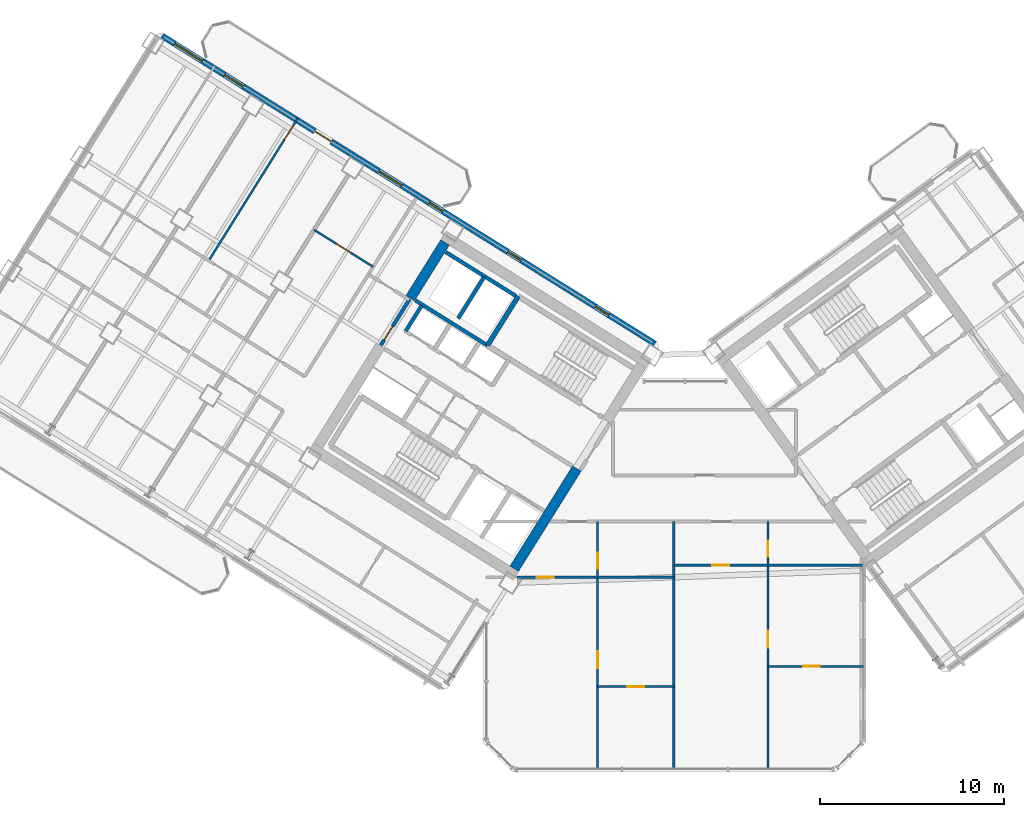
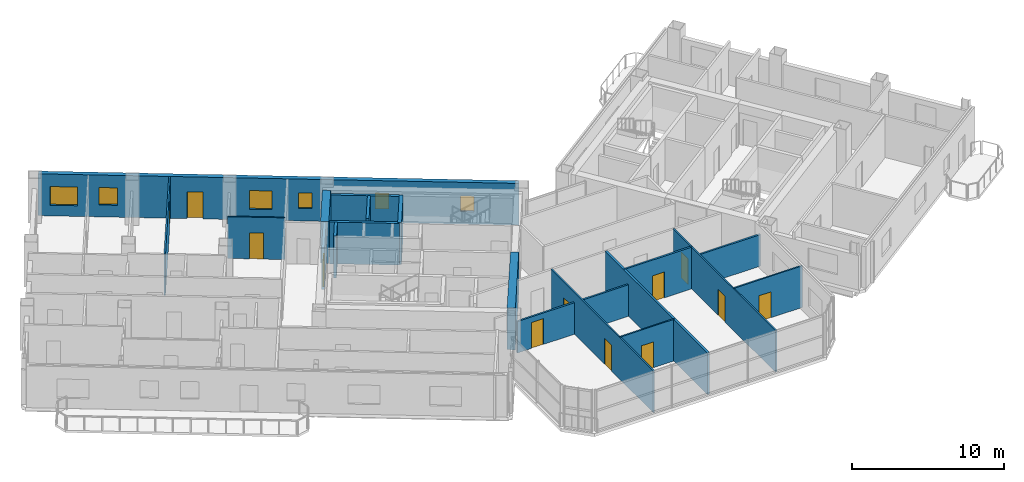
# One storey, part 18 of 29: 20 walls, 12 doors, 6 windows, 18 openings.
"""IFC4 building model written with IfcOpenShell, lengths in metres."""

from ifc_helpers import new_model, si_unit, direction, frame, frame_2d, origin, place, context, subcontext, project, spatial, rectangle, extrude, source, transform, mapped, material, layer, layer_set, type_object, element, fill, save


model = new_model("IFC4")

# Units and contexts
model_context = context("Model", 3, precision=1e-05, world=origin(), true_north=direction((0.0, 1.0)))
body_context = subcontext(model_context, "Body", "Model", "MODEL_VIEW")
ifc_project = project(units=[si_unit("LENGTHUNIT", "METRE"), si_unit("AREAUNIT", "SQUARE_METRE"), si_unit("VOLUMEUNIT", "CUBIC_METRE"), si_unit("PLANEANGLEUNIT", "RADIAN"), si_unit("MASSUNIT", "GRAM", prefix="KILO")], contexts=[model_context])

# Site, building, storey
site_placement = place(None, origin())
site = spatial("IfcSite", under=ifc_project, at=site_placement, CompositionType="ELEMENT")
building_placement = place(site_placement, origin())
building = spatial("IfcBuilding", under=site, at=building_placement, Name="Tlacorven Tower", CompositionType="ELEMENT")
storey_placement = place(building_placement, frame((0.0, 0.0, 158.699951171875)))
storey = spatial("IfcBuildingStorey", under=building, at=storey_placement, Name="L40", CompositionType="ELEMENT", Elevation=158.699951171875)

# Walls
ifc_material_1 = material(Name="Concrete C60/75", Category="concrete")
ifc_layer_1 = layer(ifc_material_1, 0.550048828125)
ifc_layer_set_1 = layer_set([ifc_layer_1], Name="Concrete C60/75")
wall_type_1 = type_object("IfcWallType", Name="WL-COR-550", PredefinedType="SHEAR", material=ifc_layer_set_1)
wall_1_placement = place(storey_placement, frame((36.683349609375, 18.30419921875, 0.0), z_axis=(0.0, 0.0, 1.0), x_axis=(-0.529896466841, -0.848062341122, 0.0)))
element("IfcWall", 1, at=wall_1_placement, inside=storey, type_object=wall_type_1, Name="L40 W core end wall E1.2", PredefinedType="SHEAR", context=body_context, shape_type="SweptSolid", body=[
    extrude(rectangle(XDim=6.4248046875, YDim=0.550048828125, at=frame_2d((3.21240234375, 0.0))), origin(), (0.0, 0.0, 1.0), 3.35009765625),
])
wall_2_placement = place(storey_placement, frame((29.517333984375, 30.59423828125, 0.0), z_axis=(0.0, 0.0, 1.0), x_axis=(-0.529906864564, -0.848055844204, 0.0)))
element("IfcWall", 2, at=wall_2_placement, inside=storey, type_object=wall_type_1, Name="L40 W core end wall E2.1", PredefinedType="SHEAR", context=body_context, shape_type="SweptSolid", body=[
    extrude(rectangle(XDim=3.5751953125, YDim=0.550048828125, at=frame_2d((1.78759765625, 0.0))), origin(), (0.0, 0.0, 1.0), 3.35009765625),
])
ifc_material_2 = material(Name="Gypsum plasterboard acoustic partition", Category="gypsum")
ifc_layer_2 = layer(ifc_material_2, 0.159912109375)
ifc_layer_set_2 = layer_set([ifc_layer_2], Name="Gypsum plasterboard acoustic partition")
wall_type_2 = type_object("IfcWallType", Name="WL-DEM-160", PredefinedType="PARTITIONING", material=ifc_layer_set_2)
wall_3_placement = place(storey_placement, frame((41.949951171875, 1.9599609375, 0.0), z_axis=(0.0, 0.0, 1.0), x_axis=(0.0, 1.0, 0.0)))
element("IfcWall", 3, at=wall_3_placement, inside=storey, type_object=wall_type_2, Name="L40 Knuckle Demising Wall 1", PredefinedType="PARTITIONING", context=body_context, shape_type="SweptSolid", body=[
    extrude(rectangle(XDim=13.4599609375, YDim=0.159912109375, at=frame_2d((6.72998046875, 0.0))), origin(), (0.0, 0.0, 1.0), 3.340087890625),
])

# Wall, openings, door, windows
ifc_material_3 = material(Name="Precast concrete C45/55", Category="concrete")
ifc_layer_3 = layer(ifc_material_3, 0.320068359375)
ifc_layer_set_3 = layer_set([ifc_layer_3], Name="Precast concrete C45/55")
wall_type_3 = type_object("IfcWallType", Name="WL-EXT-320", PredefinedType="STANDARD", material=ifc_layer_set_3)
wall_4_placement = place(storey_placement, frame((14.13818359375, 41.825439453125, 0.0), z_axis=(0.0, 0.0, 1.0), x_axis=(0.848046498049, -0.529921821731, 0.0)))
wall_4 = element("IfcWall", 4, at=wall_4_placement, inside=storey, type_object=wall_type_3, Name="L40 Masonry-Frame Recessed Facade Wall 3", PredefinedType="STANDARD", context=body_context, shape_type="SweptSolid", body=[
    extrude(rectangle(XDim=31.587646484375, YDim=0.320068359375, at=frame_2d((15.7939453125, 0.0))), origin(), (0.0, 0.0, 1.0), 3.35009765625),
])
opening_1_placement = place(wall_4_placement, frame((9.7919921875, 0.0, 0.0)))
opening_1 = element("IfcOpeningElement", 5, at=opening_1_placement, cuts=wall_4, Name="Opening D06", PredefinedType="OPENING", context=body_context, shape_type="SweptSolid", body=[
    extrude(rectangle(XDim=1.050048828125, YDim=2.14990234375, at=frame_2d((0.52490234375, 1.074951171875))), frame((0.0, 0.169921875, 0.0), z_axis=(0.0, -1.0, 0.0), x_axis=(1.0, 0.0, 0.0)), (0.0, 0.0, 1.0), 0.340087890625),
])
opening_2_placement = place(wall_4_placement, frame((0.791259765625, 0.0, 0.85009765625)))
opening_2 = element("IfcOpeningElement", 6, at=opening_2_placement, cuts=wall_4, Name="Opening WN01", PredefinedType="OPENING", context=body_context, shape_type="SweptSolid", body=[
    extrude(rectangle(XDim=1.800048828125, YDim=1.5, at=frame_2d((0.89990234375, 0.75))), frame((0.0, 0.169921875, 0.0), z_axis=(0.0, -1.0, 0.0), x_axis=(1.0, 0.0, 0.0)), (0.0, 0.0, 1.0), 0.340087890625),
])
opening_3_placement = place(wall_4_placement, frame((3.99609375, 0.0, 0.949951171875)))
opening_3 = element("IfcOpeningElement", 7, at=opening_3_placement, cuts=wall_4, Name="Opening WN03", PredefinedType="OPENING", context=body_context, shape_type="SweptSolid", body=[
    extrude(rectangle(XDim=1.199951171875, YDim=1.39990234375, at=frame_2d((0.60009765625, 0.699951171875))), frame((0.0, 0.169921875, 0.0), z_axis=(0.0, -1.0, 0.0), x_axis=(1.0, 0.0, 0.0)), (0.0, 0.0, 1.0), 0.340087890625),
])
opening_4_placement = place(wall_4_placement, frame((13.873779296875, 0.0, 0.85009765625)))
opening_4 = element("IfcOpeningElement", 8, at=opening_4_placement, cuts=wall_4, Name="Opening WN02", PredefinedType="OPENING", context=body_context, shape_type="SweptSolid", body=[
    extrude(rectangle(XDim=1.5, YDim=1.5, at=frame_2d((0.75, 0.75))), frame((0.0, 0.169921875, 0.0), z_axis=(0.0, -1.0, 0.0), x_axis=(1.0, 0.0, 0.0)), (0.0, 0.0, 1.0), 0.340087890625),
])
opening_5_placement = place(wall_4_placement, frame((17.103759765625, 0.0, 1.0)))
opening_5 = element("IfcOpeningElement", 9, at=opening_5_placement, cuts=wall_4, Name="Opening WN05", PredefinedType="OPENING", context=body_context, shape_type="SweptSolid", body=[
    extrude(rectangle(XDim=0.89990234375, YDim=1.25, at=frame_2d((0.449951171875, 0.625))), frame((0.0, 0.169921875, 0.0), z_axis=(0.0, -1.0, 0.0), x_axis=(1.0, 0.0, 0.0)), (0.0, 0.0, 1.0), 0.340087890625),
])
opening_6_placement = place(wall_4_placement, frame((22.143798828125, 0.0, 1.0)))
opening_6 = element("IfcOpeningElement", 10, at=opening_6_placement, cuts=wall_4, Name="Opening WN05", PredefinedType="OPENING", context=body_context, shape_type="SweptSolid", body=[
    extrude(rectangle(XDim=0.89990234375, YDim=1.25, at=frame_2d((0.449951171875, 0.625))), frame((0.0, 0.169921875, 0.0), z_axis=(0.0, -1.0, 0.0), x_axis=(1.0, 0.0, 0.0)), (0.0, 0.0, 1.0), 0.340087890625),
])
opening_7_placement = place(wall_4_placement, frame((27.74365234375, 0.0, 1.0)))
opening_7 = element("IfcOpeningElement", 11, at=opening_7_placement, cuts=wall_4, Name="Opening WN05", PredefinedType="OPENING", context=body_context, shape_type="SweptSolid", body=[
    extrude(rectangle(XDim=0.89990234375, YDim=1.25, at=frame_2d((0.449951171875, 0.625))), frame((0.0, 0.169921875, 0.0), z_axis=(0.0, -1.0, 0.0), x_axis=(1.0, 0.0, 0.0)), (0.0, 0.0, 1.0), 0.340087890625),
])
ifc_material_4 = material(Name="Powder-coated aluminium and timber door", Category="wood")
door_type_1 = type_object("IfcDoorType", Name="DR-EXT-BALC-1050", OperationType="NOTDEFINED", PredefinedType="DOOR", material=ifc_material_4)
shared_shape_1 = source(origin(), body_context, "Body", "SweptSolid", [
    extrude(rectangle(XDim=1.050048828125, YDim=2.14990234375, at=frame_2d((0.52490234375, 1.074951171875))), frame((0.0, 0.02490234375, 0.0), z_axis=(0.0, -1.0, 0.0), x_axis=(1.0, 0.0, 0.0)), (0.0, 0.0, 1.0), 0.050048828125),
])
door_1_placement = place(opening_1_placement, origin())
door_1 = element("IfcDoor", 12, at=door_1_placement, inside=storey, type_object=door_type_1, Name="L40 Outdoor Access Door BAL-L40-W-IN", OperationType="SINGLE_SWING_RIGHT", OverallHeight=2.14990234375, OverallWidth=1.050048828125, PredefinedType="DOOR", context=body_context, shape_type="MappedRepresentation", body=[
    mapped(shared_shape_1, transform((0.0, 0.0, 0.0), scale=1.0)),
])
fill(opening_1, door_1)
ifc_material_5 = material(Name="Dark solar low-E double glazing in anodised aluminium frame", Category="aluminium")
window_type_1 = type_object("IfcWindowType", Name="WN-APT-1200X1500", PartitioningType="SINGLE_PANEL", PredefinedType="WINDOW", material=ifc_material_5)
shared_shape_2 = source(origin(), body_context, "Body", "SweptSolid", [
    extrude(rectangle(XDim=1.199951171875, YDim=1.39990234375, at=frame_2d((0.60009765625, 0.699951171875))), frame((0.0, 0.030029296875, 0.0), z_axis=(0.0, -1.0, 0.0), x_axis=(1.0, 0.0, 0.0)), (0.0, 0.0, 1.0), 0.06005859375),
])
window_1_placement = place(opening_3_placement, origin())
window_1 = element("IfcWindow", 13, at=window_1_placement, inside=storey, type_object=window_type_1, Name="L40 Recessed Masonry-Frame Window L40-03.2", OverallHeight=1.39990234375, OverallWidth=1.199951171875, PartitioningType="SINGLE_PANEL", PredefinedType="WINDOW", context=body_context, shape_type="MappedRepresentation", body=[
    mapped(shared_shape_2, transform((0.0, 0.0, 0.0), scale=1.0)),
])
fill(opening_3, window_1)
window_type_2 = type_object("IfcWindowType", Name="WN-APT-1800X1650", PartitioningType="SINGLE_PANEL", PredefinedType="WINDOW", material=ifc_material_5)
shared_shape_3 = source(origin(), body_context, "Body", "SweptSolid", [
    extrude(rectangle(XDim=1.800048828125, YDim=1.5, at=frame_2d((0.89990234375, 0.75))), frame((0.0, 0.030029296875, 0.0), z_axis=(0.0, -1.0, 0.0), x_axis=(1.0, 0.0, 0.0)), (0.0, 0.0, 1.0), 0.06005859375),
])
window_2_placement = place(opening_2_placement, origin())
window_2 = element("IfcWindow", 14, at=window_2_placement, inside=storey, type_object=window_type_2, Name="L40 Recessed Masonry-Frame Window L40-03.1", OverallHeight=1.5, OverallWidth=1.800048828125, PartitioningType="SINGLE_PANEL", PredefinedType="WINDOW", context=body_context, shape_type="MappedRepresentation", body=[
    mapped(shared_shape_3, transform((0.0, 0.0, 0.0), scale=1.0)),
])
fill(opening_2, window_2)
window_type_3 = type_object("IfcWindowType", Name="WN-APT-1500X1650", PartitioningType="SINGLE_PANEL", PredefinedType="WINDOW", material=ifc_material_5)
shared_shape_4 = source(origin(), body_context, "Body", "SweptSolid", [
    extrude(rectangle(XDim=1.5, YDim=1.5, at=frame_2d((0.75, 0.75))), frame((0.0, 0.030029296875, 0.0), z_axis=(0.0, -1.0, 0.0), x_axis=(1.0, 0.0, 0.0)), (0.0, 0.0, 1.0), 0.06005859375),
])
window_3_placement = place(opening_4_placement, origin())
window_3 = element("IfcWindow", 15, at=window_3_placement, inside=storey, type_object=window_type_3, Name="L40 Recessed Masonry-Frame Window L40-03.3", OverallHeight=1.5, OverallWidth=1.5, PartitioningType="SINGLE_PANEL", PredefinedType="WINDOW", context=body_context, shape_type="MappedRepresentation", body=[
    mapped(shared_shape_4, transform((0.0, 0.0, 0.0), scale=1.0)),
])
fill(opening_4, window_3)
window_type_4 = type_object("IfcWindowType", Name="WN-APT-0900X1350", PartitioningType="SINGLE_PANEL", PredefinedType="WINDOW", material=ifc_material_5)
shared_shape_5 = source(origin(), body_context, "Body", "SweptSolid", [
    extrude(rectangle(XDim=0.89990234375, YDim=1.25, at=frame_2d((0.449951171875, 0.625))), frame((0.0, 0.030029296875, 0.0), z_axis=(0.0, -1.0, 0.0), x_axis=(1.0, 0.0, 0.0)), (0.0, 0.0, 1.0), 0.06005859375),
])
window_4_placement = place(opening_5_placement, origin())
window_4 = element("IfcWindow", 16, at=window_4_placement, inside=storey, type_object=window_type_4, Name="L40 Recessed Masonry-Frame Window L40-03.4", OverallHeight=1.25, OverallWidth=0.89990234375, PartitioningType="SINGLE_PANEL", PredefinedType="WINDOW", context=body_context, shape_type="MappedRepresentation", body=[
    mapped(shared_shape_5, transform((0.0, 0.0, 0.0), scale=1.0)),
])
fill(opening_5, window_4)
window_5_placement = place(opening_6_placement, origin())
window_5 = element("IfcWindow", 17, at=window_5_placement, inside=storey, type_object=window_type_4, Name="L40 Recessed Masonry-Frame Window L40-03.5", OverallHeight=1.25, OverallWidth=0.89990234375, PartitioningType="SINGLE_PANEL", PredefinedType="WINDOW", context=body_context, shape_type="MappedRepresentation", body=[
    mapped(shared_shape_5, transform((0.0, 0.0, 0.0), scale=1.0)),
])
fill(opening_6, window_5)
window_6_placement = place(opening_7_placement, origin())
window_6 = element("IfcWindow", 18, at=window_6_placement, inside=storey, type_object=window_type_4, Name="L40 Recessed Masonry-Frame Window L40-03.6", OverallHeight=1.25, OverallWidth=0.89990234375, PartitioningType="SINGLE_PANEL", PredefinedType="WINDOW", context=body_context, shape_type="MappedRepresentation", body=[
    mapped(shared_shape_5, transform((0.0, 0.0, 0.0), scale=1.0)),
])
fill(opening_7, window_6)

# Wall, opening, door
ifc_material_6 = material(Name="Gypsum plasterboard partition", Category="gypsum")
ifc_layer_4 = layer(ifc_material_6, 0.110107421875)
ifc_layer_set_4 = layer_set([ifc_layer_4], Name="Gypsum plasterboard partition")
wall_type_4 = type_object("IfcWallType", Name="WL-INT-110", PredefinedType="PARTITIONING", material=ifc_layer_set_4)
wall_5_placement = place(storey_placement, frame((25.61181640625, 29.269287109375, 0.0), z_axis=(0.0, 0.0, 1.0), x_axis=(-0.84803087207, 0.529946827537, 0.0)))
wall_5 = element("IfcWall", 19, at=wall_5_placement, inside=storey, type_object=wall_type_4, Name="L40 partition 60", PredefinedType="PARTITIONING", context=body_context, shape_type="SweptSolid", body=[
    extrude(rectangle(XDim=3.7900390625, YDim=0.110107421875, at=frame_2d((1.89501953125, 0.0))), origin(), (0.0, 0.0, 1.0), 3.340087890625),
])
opening_8_placement = place(wall_5_placement, frame((1.43505859375, 0.0, 0.0)))
opening_8 = element("IfcOpeningElement", 20, at=opening_8_placement, cuts=wall_5, Name="Opening D12", PredefinedType="OPENING", context=body_context, shape_type="SweptSolid", body=[
    extrude(rectangle(XDim=0.919921875, YDim=2.080078125, at=frame_2d((0.4599609375, 1.0400390625))), frame((0.0, 0.06494140625, 0.0), z_axis=(0.0, -1.0, 0.0), x_axis=(1.0, 0.0, 0.0)), (0.0, 0.0, 1.0), 0.130126953125),
])
door_type_2 = type_object("IfcDoorType", Name="DR-INT-ROOM-0920", OperationType="NOTDEFINED", PredefinedType="DOOR", material=ifc_material_4)
shared_shape_6 = source(origin(), body_context, "Body", "SweptSolid", [
    extrude(rectangle(XDim=0.919921875, YDim=2.080078125, at=frame_2d((0.4599609375, 1.0400390625))), frame((0.0, 0.02490234375, 0.0), z_axis=(0.0, -1.0, 0.0), x_axis=(1.0, 0.0, 0.0)), (0.0, 0.0, 1.0), 0.050048828125),
])
door_2_placement = place(opening_8_placement, origin())
door_2 = element("IfcDoor", 21, at=door_2_placement, inside=storey, type_object=door_type_2, Name="L40 door 033", OperationType="SINGLE_SWING_RIGHT", OverallHeight=2.080078125, OverallWidth=0.919921875, PredefinedType="DOOR", context=body_context, shape_type="MappedRepresentation", body=[
    mapped(shared_shape_6, transform((0.0, 0.0, 0.0), scale=1.0)),
])
fill(opening_8, door_2)

wall_6_placement = place(storey_placement, frame((21.516845703125, 37.356201171875, 0.0), z_axis=(0.0, 0.0, 1.0), x_axis=(-0.529919705034, -0.848047820713, 0.0)))
wall_6 = element("IfcWall", 22, at=wall_6_placement, inside=storey, type_object=wall_type_4, Name="L40 partition 64", PredefinedType="PARTITIONING", context=body_context, shape_type="SweptSolid", body=[
    extrude(rectangle(XDim=9.14013671875, YDim=0.110107421875, at=frame_2d((4.570068359375, 0.0))), origin(), (0.0, 0.0, 1.0), 3.340087890625),
])
opening_9_placement = place(wall_6_placement, frame((0.469970703125, 0.0, 0.0)))
opening_9 = element("IfcOpeningElement", 23, at=opening_9_placement, cuts=wall_6, Name="Opening D12", PredefinedType="OPENING", context=body_context, shape_type="SweptSolid", body=[
    extrude(rectangle(XDim=0.919921875, YDim=2.080078125, at=frame_2d((0.4599609375, 1.0400390625))), frame((0.0, 0.06494140625, 0.0), z_axis=(0.0, -1.0, 0.0), x_axis=(1.0, 0.0, 0.0)), (0.0, 0.0, 1.0), 0.130126953125),
])
door_3_placement = place(opening_9_placement, origin())
door_3 = element("IfcDoor", 24, at=door_3_placement, inside=storey, type_object=door_type_2, Name="L40 door 034", OperationType="SINGLE_SWING_LEFT", OverallHeight=2.080078125, OverallWidth=0.919921875, PredefinedType="DOOR", context=body_context, shape_type="MappedRepresentation", body=[
    mapped(shared_shape_6, transform((0.0, 0.0, 0.0), scale=1.0)),
])
fill(opening_9, door_3)

# Wall, openings, doors
wall_7_placement = place(storey_placement, frame((37.81298828125, 1.9599609375, 0.0), z_axis=(0.0, 0.0, 1.0), x_axis=(0.0, 1.0, 0.0)))
wall_7 = element("IfcWall", 25, at=wall_7_placement, inside=storey, type_object=wall_type_4, Name="L40 partition 81", PredefinedType="PARTITIONING", context=body_context, shape_type="SweptSolid", body=[
    extrude(rectangle(XDim=13.4599609375, YDim=0.110107421875, at=frame_2d((6.72998046875, 0.0))), origin(), (0.0, 0.0, 1.0), 3.340087890625),
])
opening_10_placement = place(wall_7_placement, frame((5.5, 0.0, 0.0)))
opening_10 = element("IfcOpeningElement", 26, at=opening_10_placement, cuts=wall_7, Name="Opening D12", PredefinedType="OPENING", context=body_context, shape_type="SweptSolid", body=[
    extrude(rectangle(XDim=0.919921875, YDim=2.080078125, at=frame_2d((0.4599609375, 1.0400390625))), frame((0.0, 0.06494140625, 0.0), z_axis=(0.0, -1.0, 0.0), x_axis=(1.0, 0.0, 0.0)), (0.0, 0.0, 1.0), 0.130126953125),
])
opening_11_placement = place(wall_7_placement, frame((10.889892578125, 0.0, 0.0)))
opening_11 = element("IfcOpeningElement", 27, at=opening_11_placement, cuts=wall_7, Name="Opening D13", PredefinedType="OPENING", context=body_context, shape_type="SweptSolid", body=[
    extrude(rectangle(XDim=0.8798828125, YDim=2.080078125, at=frame_2d((0.43994140625, 1.0400390625))), frame((0.0, 0.06494140625, 0.0), z_axis=(0.0, -1.0, 0.0), x_axis=(1.0, 0.0, 0.0)), (0.0, 0.0, 1.0), 0.130126953125),
])
door_type_3 = type_object("IfcDoorType", Name="DR-INT-WET-0880", OperationType="NOTDEFINED", PredefinedType="DOOR", material=ifc_material_4)
shared_shape_7 = source(origin(), body_context, "Body", "SweptSolid", [
    extrude(rectangle(XDim=0.8798828125, YDim=2.080078125, at=frame_2d((0.43994140625, 1.0400390625))), frame((0.0, 0.02490234375, 0.0), z_axis=(0.0, -1.0, 0.0), x_axis=(1.0, 0.0, 0.0)), (0.0, 0.0, 1.0), 0.050048828125),
])
door_4_placement = place(opening_11_placement, origin())
door_4 = element("IfcDoor", 28, at=door_4_placement, inside=storey, type_object=door_type_3, Name="L40 door 053", OperationType="SINGLE_SWING_RIGHT", OverallHeight=2.080078125, OverallWidth=0.8798828125, PredefinedType="DOOR", context=body_context, shape_type="MappedRepresentation", body=[
    mapped(shared_shape_7, transform((0.0, 0.0, 0.0), scale=1.0)),
])
fill(opening_11, door_4)
door_5_placement = place(opening_10_placement, origin())
door_5 = element("IfcDoor", 29, at=door_5_placement, inside=storey, type_object=door_type_2, Name="L40 door 049", OperationType="SINGLE_SWING_RIGHT", OverallHeight=2.080078125, OverallWidth=0.919921875, PredefinedType="DOOR", context=body_context, shape_type="MappedRepresentation", body=[
    mapped(shared_shape_6, transform((0.0, 0.0, 0.0), scale=1.0)),
])
fill(opening_10, door_5)

# Wall, opening, door
wall_8_placement = place(storey_placement, frame((37.81298828125, 6.449951171875, 0.0), z_axis=(0.0, 0.0, 1.0), x_axis=(1.0, 0.0, 0.0)))
wall_8 = element("IfcWall", 30, at=wall_8_placement, inside=storey, type_object=wall_type_4, Name="L40 partition 84", PredefinedType="PARTITIONING", context=body_context, shape_type="SweptSolid", body=[
    extrude(rectangle(XDim=4.136962890625, YDim=0.110107421875, at=frame_2d((2.068359375, 0.0))), origin(), (0.0, 0.0, 1.0), 3.340087890625),
])
opening_12_placement = place(wall_8_placement, frame((1.6083984375, 0.0, 0.0)))
opening_12 = element("IfcOpeningElement", 31, at=opening_12_placement, cuts=wall_8, Name="Opening D12", PredefinedType="OPENING", context=body_context, shape_type="SweptSolid", body=[
    extrude(rectangle(XDim=0.919921875, YDim=2.080078125, at=frame_2d((0.4599609375, 1.0400390625))), frame((0.0, 0.06494140625, 0.0), z_axis=(0.0, -1.0, 0.0), x_axis=(1.0, 0.0, 0.0)), (0.0, 0.0, 1.0), 0.130126953125),
])
door_6_placement = place(opening_12_placement, origin())
door_6 = element("IfcDoor", 32, at=door_6_placement, inside=storey, type_object=door_type_2, Name="L40 door 050", OperationType="SINGLE_SWING_LEFT", OverallHeight=2.080078125, OverallWidth=0.919921875, PredefinedType="DOOR", context=body_context, shape_type="MappedRepresentation", body=[
    mapped(shared_shape_6, transform((0.0, 0.0, 0.0), scale=1.0)),
])
fill(opening_12, door_6)

# Wall, openings, doors
wall_9_placement = place(storey_placement, frame((47.072021484375, 1.9599609375, 0.0), z_axis=(0.0, 0.0, 1.0), x_axis=(0.0, 1.0, 0.0)))
wall_9 = element("IfcWall", 33, at=wall_9_placement, inside=storey, type_object=wall_type_4, Name="L40 partition 85", PredefinedType="PARTITIONING", context=body_context, shape_type="SweptSolid", body=[
    extrude(rectangle(XDim=13.4599609375, YDim=0.110107421875, at=frame_2d((6.72998046875, 0.0))), origin(), (0.0, 0.0, 1.0), 3.340087890625),
])
opening_13_placement = place(wall_9_placement, frame((6.60009765625, 0.0, 0.0)))
opening_13 = element("IfcOpeningElement", 34, at=opening_13_placement, cuts=wall_9, Name="Opening D12", PredefinedType="OPENING", context=body_context, shape_type="SweptSolid", body=[
    extrude(rectangle(XDim=0.919921875, YDim=2.080078125, at=frame_2d((0.4599609375, 1.0400390625))), frame((0.0, 0.06494140625, 0.0), z_axis=(0.0, -1.0, 0.0), x_axis=(1.0, 0.0, 0.0)), (0.0, 0.0, 1.0), 0.130126953125),
])
opening_14_placement = place(wall_9_placement, frame((11.5400390625, 0.0, 0.0)))
opening_14 = element("IfcOpeningElement", 35, at=opening_14_placement, cuts=wall_9, Name="Opening D13", PredefinedType="OPENING", context=body_context, shape_type="SweptSolid", body=[
    extrude(rectangle(XDim=0.8798828125, YDim=2.080078125, at=frame_2d((0.43994140625, 1.0400390625))), frame((0.0, 0.06494140625, 0.0), z_axis=(0.0, -1.0, 0.0), x_axis=(1.0, 0.0, 0.0)), (0.0, 0.0, 1.0), 0.130126953125),
])
door_7_placement = place(opening_14_placement, origin())
door_7 = element("IfcDoor", 36, at=door_7_placement, inside=storey, type_object=door_type_3, Name="L40 door 058", OperationType="SINGLE_SWING_LEFT", OverallHeight=2.080078125, OverallWidth=0.8798828125, PredefinedType="DOOR", context=body_context, shape_type="MappedRepresentation", body=[
    mapped(shared_shape_7, transform((0.0, 0.0, 0.0), scale=1.0)),
])
fill(opening_14, door_7)
door_8_placement = place(opening_13_placement, origin())
door_8 = element("IfcDoor", 37, at=door_8_placement, inside=storey, type_object=door_type_2, Name="L40 door 054", OperationType="SINGLE_SWING_LEFT", OverallHeight=2.080078125, OverallWidth=0.919921875, PredefinedType="DOOR", context=body_context, shape_type="MappedRepresentation", body=[
    mapped(shared_shape_6, transform((0.0, 0.0, 0.0), scale=1.0)),
])
fill(opening_13, door_8)

# Wall, opening, door
wall_10_placement = place(storey_placement, frame((47.072021484375, 7.550048828125, 0.0), z_axis=(0.0, 0.0, 1.0), x_axis=(1.0, 0.0, 0.0)))
wall_10 = element("IfcWall", 38, at=wall_10_placement, inside=storey, type_object=wall_type_4, Name="L40 partition 88", PredefinedType="PARTITIONING", context=body_context, shape_type="SweptSolid", body=[
    extrude(rectangle(XDim=5.18798828125, YDim=0.110107421875, at=frame_2d((2.593994140625, 0.0))), origin(), (0.0, 0.0, 1.0), 3.340087890625),
])
opening_15_placement = place(wall_10_placement, frame((1.904052734375, 0.0, 0.0)))
opening_15 = element("IfcOpeningElement", 39, at=opening_15_placement, cuts=wall_10, Name="Opening D12", PredefinedType="OPENING", context=body_context, shape_type="SweptSolid", body=[
    extrude(rectangle(XDim=0.919921875, YDim=2.080078125, at=frame_2d((0.4599609375, 1.0400390625))), frame((0.0, 0.06494140625, 0.0), z_axis=(0.0, -1.0, 0.0), x_axis=(1.0, 0.0, 0.0)), (0.0, 0.0, 1.0), 0.130126953125),
])
door_9_placement = place(opening_15_placement, origin())
door_9 = element("IfcDoor", 40, at=door_9_placement, inside=storey, type_object=door_type_2, Name="L40 door 055", OperationType="SINGLE_SWING_RIGHT", OverallHeight=2.080078125, OverallWidth=0.919921875, PredefinedType="DOOR", context=body_context, shape_type="MappedRepresentation", body=[
    mapped(shared_shape_6, transform((0.0, 0.0, 0.0), scale=1.0)),
])
fill(opening_15, door_9)

ifc_material_7 = material(Name="Moisture-resistant gypsum plumbing wall", Category="gypsum")
ifc_layer_5 = layer(ifc_material_7, 0.139892578125)
ifc_layer_set_5 = layer_set([ifc_layer_5], Name="Moisture-resistant gypsum plumbing wall")
wall_type_5 = type_object("IfcWallType", Name="WL-PLM-140", PredefinedType="PLUMBINGWALL", material=ifc_layer_set_5)
wall_11_placement = place(storey_placement, frame((33.432861328125, 12.389892578125, 0.0), z_axis=(0.0, 0.0, 1.0), x_axis=(1.0, 0.0, 0.0)))
wall_11 = element("IfcWall", 41, at=wall_11_placement, inside=storey, type_object=wall_type_5, Name="L40 partition 82", PredefinedType="PLUMBINGWALL", context=body_context, shape_type="SweptSolid", body=[
    extrude(rectangle(XDim=4.380126953125, YDim=0.139892578125, at=frame_2d((2.18994140625, 0.0))), origin(), (0.0, 0.0, 1.0), 2.525146484375),
])
opening_16_placement = place(wall_11_placement, frame((1.063720703125, 0.0, 0.0)))
opening_16 = element("IfcOpeningElement", 42, at=opening_16_placement, cuts=wall_11, Name="Opening D12", PredefinedType="OPENING", context=body_context, shape_type="SweptSolid", body=[
    extrude(rectangle(XDim=0.919921875, YDim=2.080078125, at=frame_2d((0.4599609375, 1.0400390625))), frame((0.0, 0.080078125, 0.0), z_axis=(0.0, -1.0, 0.0), x_axis=(1.0, 0.0, 0.0)), (0.0, 0.0, 1.0), 0.159912109375),
])
door_10_placement = place(opening_16_placement, frame((0.919921875, 0.0, 0.0), z_axis=(0.0, 0.0, 1.0), x_axis=(-1.0, 0.0, 0.0)))
door_10 = element("IfcDoor", 43, at=door_10_placement, inside=storey, type_object=door_type_2, Name="L40 door 052", OperationType="SINGLE_SWING_RIGHT", OverallHeight=2.080078125, OverallWidth=0.919921875, PredefinedType="DOOR", context=body_context, shape_type="MappedRepresentation", body=[
    mapped(shared_shape_6, transform((0.0, 0.0, 0.0), scale=1.0)),
])
fill(opening_16, door_10)

# Wall
wall_12_placement = place(storey_placement, frame((37.81298828125, 12.389892578125, 0.0), z_axis=(0.0, 0.0, 1.0), x_axis=(1.0, 0.0, 0.0)))
element("IfcWall", 44, at=wall_12_placement, inside=storey, type_object=wall_type_5, Name="L40 partition 83", PredefinedType="PLUMBINGWALL", context=body_context, shape_type="SweptSolid", body=[
    extrude(rectangle(XDim=4.136962890625, YDim=0.139892578125, at=frame_2d((2.068359375, 0.0))), origin(), (0.0, 0.0, 1.0), 2.525146484375),
])

# Wall, opening, door
wall_13_placement = place(storey_placement, frame((41.949951171875, 13.0400390625, 0.0), z_axis=(0.0, 0.0, 1.0), x_axis=(1.0, 0.0, 0.0)))
wall_13 = element("IfcWall", 45, at=wall_13_placement, inside=storey, type_object=wall_type_5, Name="L40 partition 86", PredefinedType="PLUMBINGWALL", context=body_context, shape_type="SweptSolid", body=[
    extrude(rectangle(XDim=5.1220703125, YDim=0.139892578125, at=frame_2d((2.56103515625, 0.0))), origin(), (0.0, 0.0, 1.0), 3.340087890625),
])
opening_17_placement = place(wall_13_placement, frame((2.10107421875, 0.0, 0.0)))
opening_17 = element("IfcOpeningElement", 46, at=opening_17_placement, cuts=wall_13, Name="Opening D12", PredefinedType="OPENING", context=body_context, shape_type="SweptSolid", body=[
    extrude(rectangle(XDim=0.919921875, YDim=2.080078125, at=frame_2d((0.4599609375, 1.0400390625))), frame((0.0, 0.080078125, 0.0), z_axis=(0.0, -1.0, 0.0), x_axis=(1.0, 0.0, 0.0)), (0.0, 0.0, 1.0), 0.159912109375),
])
door_11_placement = place(opening_17_placement, frame((0.919921875, 0.0, 0.0), z_axis=(0.0, 0.0, 1.0), x_axis=(-1.0, 0.0, 0.0)))
door_11 = element("IfcDoor", 47, at=door_11_placement, inside=storey, type_object=door_type_2, Name="L40 door 057", OperationType="SINGLE_SWING_RIGHT", OverallHeight=2.080078125, OverallWidth=0.919921875, PredefinedType="DOOR", context=body_context, shape_type="MappedRepresentation", body=[
    mapped(shared_shape_6, transform((0.0, 0.0, 0.0), scale=1.0)),
])
fill(opening_17, door_11)

# Walls
wall_14_placement = place(storey_placement, frame((47.072021484375, 13.0400390625, 0.0), z_axis=(0.0, 0.0, 1.0), x_axis=(1.0, 0.0, 0.0)))
element("IfcWall", 48, at=wall_14_placement, inside=storey, type_object=wall_type_5, Name="L40 partition 87", PredefinedType="PLUMBINGWALL", context=body_context, shape_type="SweptSolid", body=[
    extrude(rectangle(XDim=5.18798828125, YDim=0.139892578125, at=frame_2d((2.593994140625, 0.0))), origin(), (0.0, 0.0, 1.0), 2.525146484375),
])
ifc_material_8 = material(Name="Concrete C40/50", Category="concrete")
ifc_layer_6 = layer(ifc_material_8, 0.199951171875)
ifc_layer_set_6 = layer_set([ifc_layer_6], Name="Concrete C40/50")
wall_type_6 = type_object("IfcWallType", Name="WL-SHF-200", PredefinedType="STANDARD", material=ifc_layer_set_6)
wall_15_placement = place(storey_placement, frame((31.82177734375, 24.99755859375, 0.0), z_axis=(0.0, 0.0, 1.0), x_axis=(-0.848036912365, 0.52993716162, 0.0)))
element("IfcWall", 49, at=wall_15_placement, inside=storey, type_object=wall_type_6, Name="L40 Core W South Lift Shaft Wall", PredefinedType="STANDARD", context=body_context, shape_type="SweptSolid", body=[
    extrude(rectangle(XDim=4.617919921875, YDim=0.199951171875, at=frame_2d((2.30908203125, 0.0))), origin(), (0.0, 0.0, 1.0), 3.340087890625),
])
wall_16_placement = place(storey_placement, frame((28.250244140625, 27.170166015625, 0.0), z_axis=(0.0, 0.0, 1.0), x_axis=(-0.529905827651, -0.848056492117, 0.0)))
element("IfcWall", 50, at=wall_16_placement, inside=storey, type_object=wall_type_6, Name="L40 partition 13", PredefinedType="STANDARD", context=body_context, shape_type="SweptSolid", body=[
    extrude(rectangle(XDim=1.64990234375, YDim=0.199951171875, at=frame_2d((0.824951171875, 0.0))), origin(), (0.0, 0.0, 1.0), 3.340087890625),
])
wall_17_placement = place(storey_placement, frame((31.645263671875, 28.716064453125, 0.0), z_axis=(0.0, 0.0, 1.0), x_axis=(-0.52986693015, -0.848080795876, 0.0)))
element("IfcWall", 51, at=wall_17_placement, inside=storey, type_object=wall_type_6, Name="L40 partition 15", PredefinedType="STANDARD", context=body_context, shape_type="SweptSolid", body=[
    extrude(rectangle(XDim=2.659912109375, YDim=0.199951171875, at=frame_2d((1.330078125, 0.0))), origin(), (0.0, 0.0, 1.0), 3.340087890625),
])
wall_18_placement = place(storey_placement, frame((33.362548828125, 27.690185546875, 0.0), z_axis=(0.0, 0.0, 1.0), x_axis=(-0.848047090064, 0.529920874315, 0.0)))
element("IfcWall", 52, at=wall_18_placement, inside=storey, type_object=wall_type_6, Name="L40 partition 17", PredefinedType="STANDARD", context=body_context, shape_type="SweptSolid", body=[
    extrude(rectangle(XDim=4.498046875, YDim=0.199951171875, at=frame_2d((2.2490234375, 0.0))), origin(), (0.0, 0.0, 1.0), 3.340087890625),
])

# Wall, opening, door
wall_19_placement = place(storey_placement, frame((27.59619140625, 27.52001953125, 0.0), z_axis=(0.0, 0.0, 1.0), x_axis=(-0.529865479138, -0.848081702443, 0.0)))
wall_19 = element("IfcWall", 53, at=wall_19_placement, inside=storey, type_object=wall_type_6, Name="L40 partition 44", PredefinedType="STANDARD", context=body_context, shape_type="SweptSolid", body=[
    extrude(rectangle(XDim=2.9599609375, YDim=0.199951171875, at=frame_2d((1.47998046875, 0.0))), origin(), (0.0, 0.0, 1.0), 3.340087890625),
])
opening_18_placement = place(wall_19_placement, frame((1.760009765625, 0.0, 0.0)))
opening_18 = element("IfcOpeningElement", 54, at=opening_18_placement, cuts=wall_19, Name="Opening D19", PredefinedType="OPENING", context=body_context, shape_type="SweptSolid", body=[
    extrude(rectangle(XDim=0.860107421875, YDim=2.050048828125, at=frame_2d((0.43017578125, 1.02490234375))), frame((0.0, 0.10986328125, 0.0), z_axis=(0.0, -1.0, 0.0), x_axis=(1.0, 0.0, 0.0)), (0.0, 0.0, 1.0), 0.219970703125),
])
ifc_material_9 = material(Name="Fire-rated steel door assembly", Category="steel")
door_type_4 = type_object("IfcDoorType", Name="DR-RSR-FD60-0860", OperationType="NOTDEFINED", PredefinedType="DOOR", material=ifc_material_9)
shared_shape_8 = source(origin(), body_context, "Body", "SweptSolid", [
    extrude(rectangle(XDim=0.860107421875, YDim=2.050048828125, at=frame_2d((0.43017578125, 1.02490234375))), frame((0.0, 0.02490234375, 0.0), z_axis=(0.0, -1.0, 0.0), x_axis=(1.0, 0.0, 0.0)), (0.0, 0.0, 1.0), 0.050048828125),
])
door_12_placement = place(opening_18_placement, origin())
door_12 = element("IfcDoor", 55, at=door_12_placement, inside=storey, type_object=door_type_4, Name="L40 door 023", OperationType="SINGLE_SWING_LEFT", OverallHeight=2.050048828125, OverallWidth=0.860107421875, PredefinedType="DOOR", context=body_context, shape_type="MappedRepresentation", body=[
    mapped(shared_shape_8, transform((0.0, 0.0, 0.0), scale=1.0)),
])
fill(opening_18, door_12)

# Wall
ifc_material_10 = material(Name="Concrete C50/60", Category="concrete")
ifc_layer_7 = layer(ifc_material_10, 0.260009765625)
ifc_layer_set_7 = layer_set([ifc_layer_7], Name="Concrete C50/60")
wall_type_7 = type_object("IfcWallType", Name="WL-STW-260", PredefinedType="SHEAR", material=ifc_layer_set_7)
wall_20_placement = place(storey_placement, frame((33.496337890625, 27.677490234375, 0.0), z_axis=(0.0, 0.0, 1.0), x_axis=(-0.529908658664, -0.84805472316, 0.0)))
element("IfcWall", 56, at=wall_20_placement, inside=storey, type_object=wall_type_7, Name="L40 Stair W2 East Shear Wall", PredefinedType="SHEAR", context=body_context, shape_type="SweptSolid", body=[
    extrude(rectangle(XDim=3.16015625, YDim=0.260009765625, at=frame_2d((1.580078125, 0.0))), origin(), (0.0, 0.0, 1.0), 3.35009765625),
])

save(model, "model.ifc")
